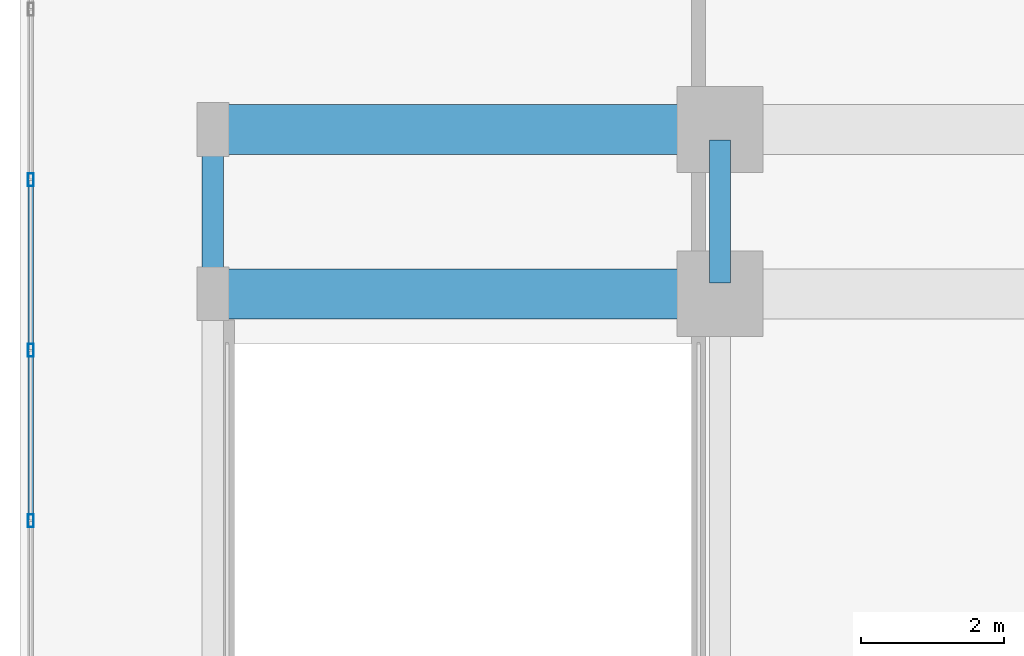
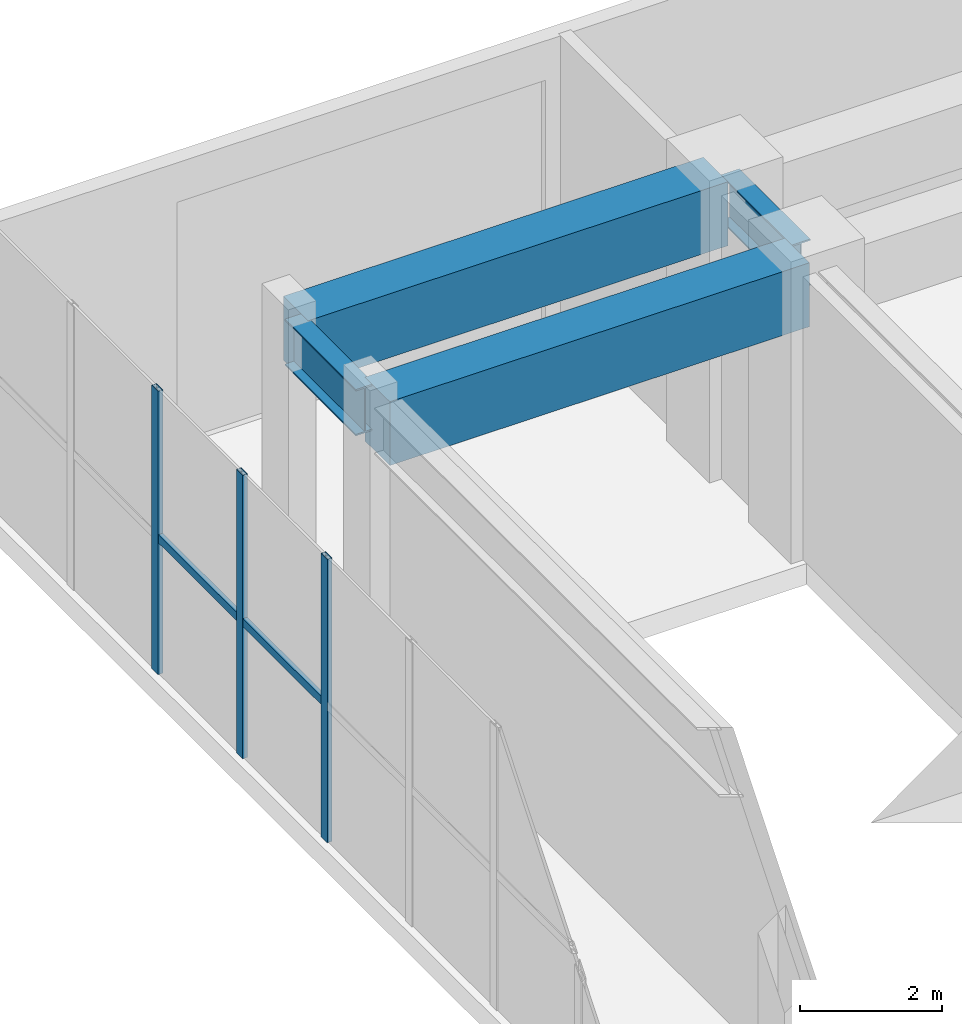
# One storey, part 16 of 40: 5 members, 4 beams, 1 element without a shape of its own.
"""IFC4 building model written with IfcOpenShell, lengths in metres."""

from ifc_helpers import new_model, si_unit, direction, frame, origin, origin_2d, place, context, subcontext, project, spatial, rectangle, hollow_rectangle, i_section, extrude, source, transform, mapped, material, material_profile, profile_set, type_object, element, aggregate, save


model = new_model("IFC4")

# Units and contexts
model_context = context("Model", 3, precision=1e-05, world=origin(), true_north=direction((0.0, 1.0)))
body_context = subcontext(model_context, "Body", "Model", "MODEL_VIEW")
ifc_project = project(units=[si_unit("LENGTHUNIT", "METRE"), si_unit("AREAUNIT", "SQUARE_METRE"), si_unit("VOLUMEUNIT", "CUBIC_METRE"), si_unit("PLANEANGLEUNIT", "RADIAN"), si_unit("MASSUNIT", "GRAM", prefix="KILO")], contexts=[model_context])

# Site, building, storey
site_placement = place(None, origin())
site = spatial("IfcSite", under=ifc_project, at=site_placement, CompositionType="ELEMENT")
building_placement = place(site_placement, origin())
building = spatial("IfcBuilding", under=site, at=building_placement, Name="Trelvane Seafront Commons", CompositionType="ELEMENT")
storey_placement = place(building_placement, origin())
storey = spatial("IfcBuildingStorey", under=building, at=storey_placement, Name="L00", CompositionType="ELEMENT", Elevation=0.0)

# Beams
ifc_material_1 = material(Name="Concrete C50/60", Category="concrete")
ifc_material_profile_1 = material_profile(ifc_material_1, rectangle(XDim=0.699951171875, YDim=1.10009765625, at=origin_2d()), Name="RC-700x1100")
ifc_profile_set_1 = profile_set([ifc_material_profile_1], Name="Concrete C50/60")
beam_type_1 = type_object("IfcBeamType", Name="STR-TBM-RC700x1100", PredefinedType="T_BEAM", material=ifc_profile_set_1)
shared_shape_1 = source(origin(), body_context, "Body", "SweptSolid", [
    extrude(rectangle(XDim=0.699951171875, YDim=1.10009765625, at=origin_2d()), origin(), (0.0, 0.0, 1.0), 6.83740234375),
])
for number, where, z_axis, x_axis, name in (
    (1, (0.612548828125, 45.10009765625, 4.330078125), (1.0, 0.0, 0.0), (0.0, 1.0, 0.0), "L00 Primary Girder G-19"),
    (2, (0.612548828125, 47.39990234375, 4.330078125), (1.0, 0.0, 0.0), (0.0, 1.0, 0.0), "L00 Primary Girder G-25"),
):
    element("IfcBeam", number, at=place(storey_placement, frame(where, z_axis=z_axis, x_axis=x_axis)), inside=storey, type_object=beam_type_1, Name=name, PredefinedType="T_BEAM", context=body_context, shape_type="MappedRepresentation", body=[
        mapped(shared_shape_1, transform((0.0, 0.0, 0.0), x_axis=(1.0, 0.0, 0.0), y_axis=(0.0, 1.0, 0.0), z_axis=(0.0, 0.0, 1.0), scale=1.0)),
    ])
ifc_material_2 = material(Name="Steel SM355 (S355)", Category="steel")
ifc_material_profile_2 = material_profile(ifc_material_2, i_section(OverallWidth=0.300048828125, OverallDepth=0.800048828125, WebThickness=0.013916015625, FlangeThickness=0.02587890625, at=origin_2d()), Name="H-800x300x14x26")
ifc_profile_set_2 = profile_set([ifc_material_profile_2], Name="Steel SM355 (S355)")
beam_type_2 = type_object("IfcBeamType", Name="STR-BM-H800", PredefinedType="BEAM", material=ifc_profile_set_2)
shared_shape_2 = source(origin(), body_context, "Body", "SweptSolid", [
    extrude(i_section(OverallWidth=0.300048828125, OverallDepth=0.800048828125, WebThickness=0.013916015625, FlangeThickness=0.02587890625, at=origin_2d()), origin(), (0.0, 0.0, 1.0), 2.0),
])
for number, where, z_axis, x_axis, name in (
    (3, (0.5, 45.25, 4.47998046875), (0.0, 1.0, 0.0), (-1.0, 0.0, 0.0), "L00 Primary Girder G-34"),
    (4, (7.60009765625, 45.25, 4.47998046875), (0.0, 1.0, 0.0), (-1.0, 0.0, 0.0), "L00 Primary Girder G-38"),
):
    element("IfcBeam", number, at=place(storey_placement, frame(where, z_axis=z_axis, x_axis=x_axis)), inside=storey, type_object=beam_type_2, Name=name, PredefinedType="BEAM", context=body_context, shape_type="MappedRepresentation", body=[
        mapped(shared_shape_2, transform((0.0, 0.0, 0.0), x_axis=(1.0, 0.0, 0.0), y_axis=(0.0, 1.0, 0.0), z_axis=(0.0, 0.0, 1.0), scale=1.0)),
    ])

# Curtain wall, members
ifc_material_3 = material(Name="Anodised pale-silver aluminium", Category="aluminium")
curtain_wall_type = type_object("IfcCurtainWallType", Name="ARCH-CW4-SKYLOBBY", PredefinedType="NOTDEFINED", material=ifc_material_3)
curtain_wall_placement = place(storey_placement, origin())
curtain_wall = element("IfcCurtainWall", 5, at=curtain_wall_placement, inside=storey, type_object=curtain_wall_type, Name="CW-L00-0006", PredefinedType="NOTDEFINED")
ifc_material_profile_3 = material_profile(ifc_material_3, hollow_rectangle(XDim=0.080078125, YDim=0.179931640625, WallThickness=0.00439453125, at=origin_2d()), Name="MULL-80x180x4.5")
ifc_profile_set_3 = profile_set([ifc_material_profile_3], Name="Anodised pale-silver aluminium")
member_type_1 = type_object("IfcMemberType", Name="ARCH-CW-MULL-180", PredefinedType="MULLION", material=ifc_profile_set_3)
shared_shape_3 = source(origin(), body_context, "Body", "SweptSolid", [
    extrude(hollow_rectangle(XDim=0.080078125, YDim=0.179931640625, WallThickness=0.00439453125, at=origin_2d()), origin(), (0.0, 0.0, 1.0), 4.8798828125),
])
member_1_placement = place(storey_placement, frame((-2.050048828125, 41.922119140625, 0.0), z_axis=(0.0, 0.0, 1.0), x_axis=(1.0, 0.0, 0.0)))
member_1 = element("IfcMember", 6, at=member_1_placement, type_object=member_type_1, Name="CW-L00-0006-M16", PredefinedType="MULLION", context=body_context, shape_type="MappedRepresentation", body=[
    mapped(shared_shape_3, transform((0.0, 0.0, 0.0), x_axis=(1.0, 0.0, 0.0), y_axis=(0.0, 1.0, 0.0), z_axis=(0.0, 0.0, 1.0), scale=1.0)),
])
member_2_placement = place(storey_placement, frame((-2.050048828125, 44.30908203125, 0.0), z_axis=(0.0, 0.0, 1.0), x_axis=(1.0, 0.0, 0.0)))
member_2 = element("IfcMember", 7, at=member_2_placement, type_object=member_type_1, Name="CW-L00-0006-M17", PredefinedType="MULLION", context=body_context, shape_type="MappedRepresentation", body=[
    mapped(shared_shape_3, transform((0.0, 0.0, 0.0), x_axis=(1.0, 0.0, 0.0), y_axis=(0.0, 1.0, 0.0), z_axis=(0.0, 0.0, 1.0), scale=1.0)),
])
member_3_placement = place(storey_placement, frame((-2.050048828125, 46.696044921875, 0.0), z_axis=(0.0, 0.0, 1.0), x_axis=(1.0, 0.0, 0.0)))
member_3 = element("IfcMember", 8, at=member_3_placement, type_object=member_type_1, Name="CW-L00-0006-M18", PredefinedType="MULLION", context=body_context, shape_type="MappedRepresentation", body=[
    mapped(shared_shape_3, transform((0.0, 0.0, 0.0), x_axis=(1.0, 0.0, 0.0), y_axis=(0.0, 1.0, 0.0), z_axis=(0.0, 0.0, 1.0), scale=1.0)),
])
ifc_material_profile_4 = material_profile(ifc_material_3, hollow_rectangle(XDim=0.074951171875, YDim=0.139892578125, WallThickness=0.00390625, at=origin_2d()), Name="TRAN-75x140x4")
ifc_profile_set_4 = profile_set([ifc_material_profile_4], Name="Anodised pale-silver aluminium")
member_type_2 = type_object("IfcMemberType", Name="ARCH-CW-TRAN-140", PredefinedType="USERDEFINED", material=ifc_profile_set_4)
shared_shape_4 = source(origin(), body_context, "Body", "SweptSolid", [
    extrude(hollow_rectangle(XDim=0.074951171875, YDim=0.139892578125, WallThickness=0.00390625, at=origin_2d()), origin(), (0.0, 0.0, 1.0), 2.363037109375),
])
member_4_placement = place(storey_placement, frame((-2.050048828125, 41.93408203125, 2.342041015625), z_axis=(0.0, 1.0, 0.0), x_axis=(-1.0, 0.0, 0.0)))
member_4 = element("IfcMember", 9, at=member_4_placement, type_object=member_type_2, Name="CW-L00-0006-T16", ObjectType="TRANSOM", PredefinedType="USERDEFINED", context=body_context, shape_type="MappedRepresentation", body=[
    mapped(shared_shape_4, transform((0.0, 0.0, 0.0), x_axis=(1.0, 0.0, 0.0), y_axis=(0.0, 1.0, 0.0), z_axis=(0.0, 0.0, 1.0), scale=1.0)),
])
member_5_placement = place(storey_placement, frame((-2.050048828125, 44.321044921875, 2.342041015625), z_axis=(0.0, 1.0, 0.0), x_axis=(-1.0, 0.0, 0.0)))
member_5 = element("IfcMember", 10, at=member_5_placement, type_object=member_type_2, Name="CW-L00-0006-T17", ObjectType="TRANSOM", PredefinedType="USERDEFINED", context=body_context, shape_type="MappedRepresentation", body=[
    mapped(shared_shape_4, transform((0.0, 0.0, 0.0), x_axis=(1.0, 0.0, 0.0), y_axis=(0.0, 1.0, 0.0), z_axis=(0.0, 0.0, 1.0), scale=1.0)),
])
aggregate(curtain_wall, [member_1, member_2, member_3, member_4, member_5])

save(model, "model.ifc")
